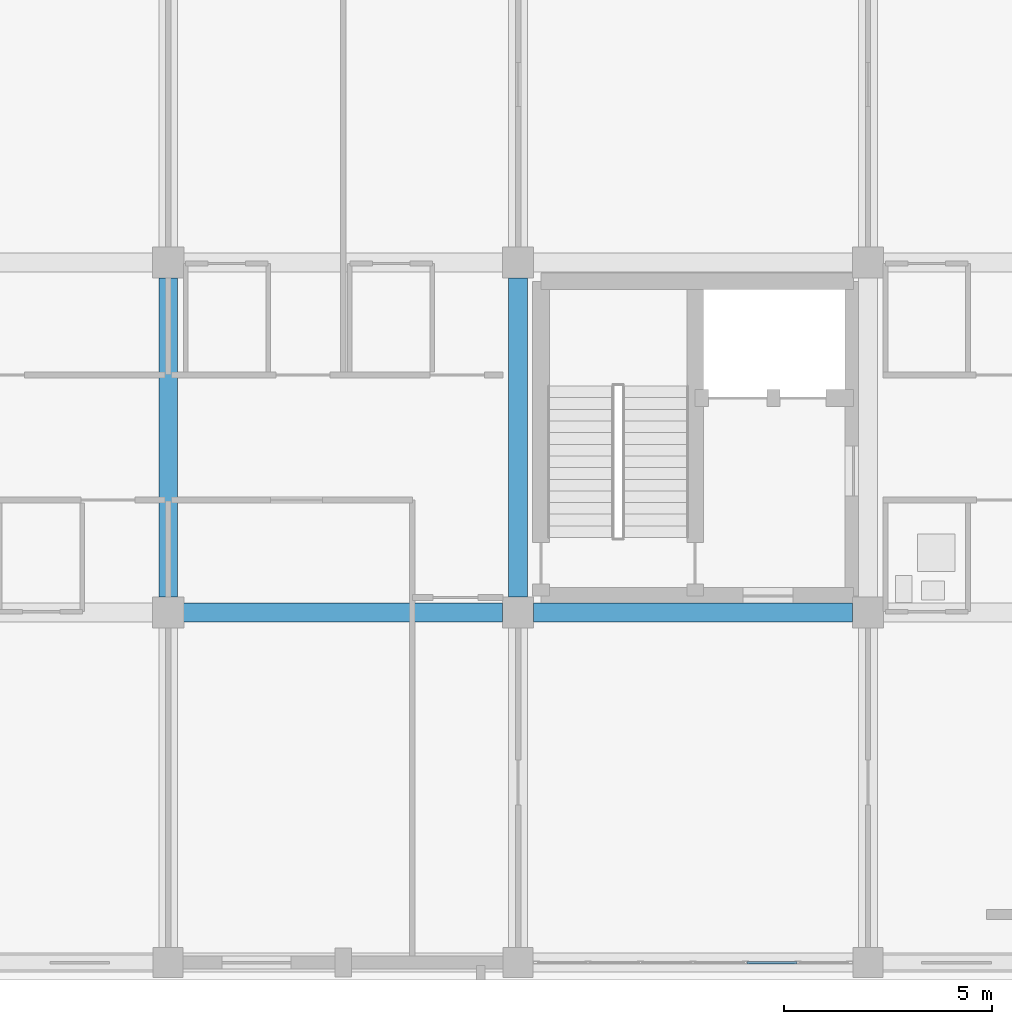
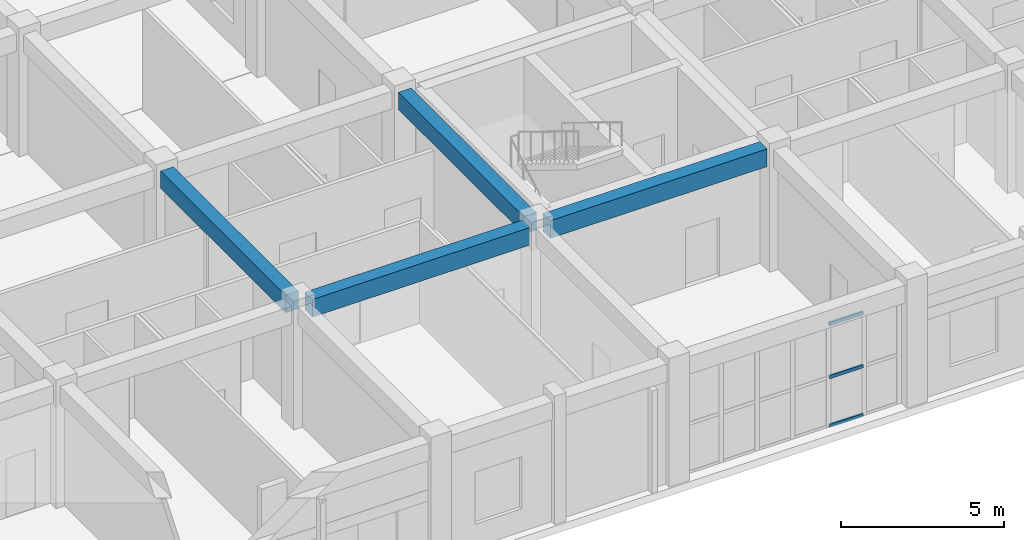
# One storey, part 18 of 158: 4 beams, 3 members, 1 element without a shape of its own.
"""IFC4 building model written with IfcOpenShell, lengths in metres."""

from ifc_helpers import new_model, si_unit, direction, frame, origin, origin_2d, place, context, subcontext, project, spatial, rectangle, hollow_rectangle, extrude, material, layer, layer_set, material_profile, profile_set, type_object, element, aggregate, save


model = new_model("IFC4")

# Units and contexts
model_context = context("Model", 3, precision=1e-05, world=origin(), true_north=direction((0.0, 1.0)))
body_context = subcontext(model_context, "Body", "Model", "MODEL_VIEW")
ifc_project = project(units=[si_unit("LENGTHUNIT", "METRE"), si_unit("AREAUNIT", "SQUARE_METRE"), si_unit("VOLUMEUNIT", "CUBIC_METRE"), si_unit("PLANEANGLEUNIT", "RADIAN"), si_unit("MASSUNIT", "GRAM", prefix="KILO")], contexts=[model_context])

# Site, building, storey
site_placement = place(None, origin())
site = spatial("IfcSite", under=ifc_project, at=site_placement, CompositionType="ELEMENT")
building_placement = place(site_placement, origin())
building = spatial("IfcBuilding", under=site, at=building_placement, Name="Trelvath General Hospital", CompositionType="ELEMENT")
storey_placement = place(building_placement, frame((0.0, 0.0, 8.10009765625)))
storey = spatial("IfcBuildingStorey", under=building, at=storey_placement, Name="L02", CompositionType="ELEMENT", Elevation=8.10009765625)

# Beams
ifc_material_1 = material(Name="Concrete C35/45", Category="concrete")
ifc_material_profile_1 = material_profile(ifc_material_1, rectangle(XDim=0.449951171875, YDim=0.64990234375, at=origin_2d()), Name="RCB450x650")
ifc_profile_set_1 = profile_set([ifc_material_profile_1], Name="Concrete C35/45")
beam_type_1 = type_object("IfcBeamType", Name="Beam RC450x650", PredefinedType="BEAM", material=ifc_profile_set_1)
for number, where, z_axis, x_axis, name in (
    (1, (33.60009765625, 8.77001953125, 4.19482421875), (0.0, 1.0, 0.0), (-1.0, 0.0, 0.0), "Grid Beam BY-204B"),
    (2, (42.0, 8.77001953125, 4.19482421875), (0.0, 1.0, 0.0), (-1.0, 0.0, 0.0), "Grid Beam BY-205B"),
):
    element("IfcBeam", number, at=place(storey_placement, frame(where, z_axis=z_axis, x_axis=x_axis)), inside=storey, type_object=beam_type_1, Name=name, PredefinedType="BEAM", context=body_context, shape_type="SweptSolid", body=[
        extrude(rectangle(XDim=0.449951171875, YDim=0.64990234375, at=origin_2d()), origin(), (0.0, 0.0, 1.0), 7.659912109375),
    ])
ifc_material_2 = material(Name="Concrete C35/45", Category="concrete")
ifc_material_profile_2 = material_profile(ifc_material_2, rectangle(XDim=0.4599609375, YDim=0.659912109375, at=origin_2d()), Name="RCB460x660")
ifc_profile_set_2 = profile_set([ifc_material_profile_2], Name="Concrete C35/45")
beam_type_2 = type_object("IfcBeamType", Name="Beam RC460x660", PredefinedType="BEAM", material=ifc_profile_set_2)
for number, where, z_axis, x_axis, name in (
    (3, (33.969970703125, 8.39990234375, 4.18994140625), (1.0, 0.0, 0.0), (0.0, 1.0, 0.0), "Grid Beam BX-204B"),
    (4, (42.3701171875, 8.39990234375, 4.18994140625), (1.0, 0.0, 0.0), (0.0, 1.0, 0.0), "Grid Beam BX-205B"),
):
    element("IfcBeam", number, at=place(storey_placement, frame(where, z_axis=z_axis, x_axis=x_axis)), inside=storey, type_object=beam_type_2, Name=name, PredefinedType="BEAM", context=body_context, shape_type="SweptSolid", body=[
        extrude(rectangle(XDim=0.4599609375, YDim=0.659912109375, at=origin_2d()), origin(), (0.0, 0.0, 1.0), 7.659912109375),
    ])

# Curtain wall, members
ifc_material_3 = material(Name="Anodised aluminium and low-E glass", Category="aluminium")
ifc_layer = layer(ifc_material_3, 0.159912109375)
ifc_layer_set = layer_set([ifc_layer], Name="Anodised aluminium and low-E glass")
curtain_wall_type = type_object("IfcCurtainWallType", Name="CW Facade 757 386 16", PredefinedType="USERDEFINED", material=ifc_layer_set)
curtain_wall_placement = place(storey_placement, origin())
curtain_wall = element("IfcCurtainWall", 5, at=curtain_wall_placement, inside=storey, type_object=curtain_wall_type, Name="Facade Curtain Wall CW-040", ObjectType="Unitised Glazed Curtain Wall", PredefinedType="USERDEFINED")
ifc_material_4 = material(Name="Anodised aluminium", Category="aluminium")
ifc_material_profile_3 = material_profile(ifc_material_4, hollow_rectangle(XDim=0.06005859375, YDim=0.125, WallThickness=0.00390625, at=origin_2d()), Name="RHS60x125x4")
ifc_profile_set_3 = profile_set([ifc_material_profile_3], Name="Anodised aluminium")
member_type = type_object("IfcMemberType", Name="CurtainTransom 60x125", PredefinedType="USERDEFINED", material=ifc_profile_set_3)
member_1_placement = place(storey_placement, frame((48.693359375, 0.0, 0.02978515625), z_axis=(-1.0, 0.0, 0.0), x_axis=(0.0, -1.0, 0.0)))
member_1 = element("IfcMember", 6, at=member_1_placement, type_object=member_type, Name="CW-040 transom 2.1", ObjectType="TRANSOM", PredefinedType="USERDEFINED", context=body_context, shape_type="SweptSolid", body=[
    extrude(hollow_rectangle(XDim=0.06005859375, YDim=0.125, WallThickness=0.00390625, at=origin_2d()), origin(), (0.0, 0.0, 1.0), 1.20166015625),
])
member_2_placement = place(storey_placement, frame((48.693359375, 0.0, 1.852783203125), z_axis=(-1.0, 0.0, 0.0), x_axis=(0.0, -1.0, 0.0)))
member_2 = element("IfcMember", 7, at=member_2_placement, type_object=member_type, Name="CW-040 transom 2.2", ObjectType="TRANSOM", PredefinedType="USERDEFINED", context=body_context, shape_type="SweptSolid", body=[
    extrude(hollow_rectangle(XDim=0.06005859375, YDim=0.125, WallThickness=0.00390625, at=origin_2d()), origin(), (0.0, 0.0, 1.0), 1.20166015625),
])
member_3_placement = place(storey_placement, frame((48.693359375, 0.0, 3.829833984375), z_axis=(-1.0, 0.0, 0.0), x_axis=(0.0, -1.0, 0.0)))
member_3 = element("IfcMember", 8, at=member_3_placement, type_object=member_type, Name="CW-040 transom 2.3", ObjectType="TRANSOM", PredefinedType="USERDEFINED", context=body_context, shape_type="SweptSolid", body=[
    extrude(hollow_rectangle(XDim=0.06005859375, YDim=0.125, WallThickness=0.00390625, at=origin_2d()), origin(), (0.0, 0.0, 1.0), 1.20166015625),
])
aggregate(curtain_wall, [member_1, member_2, member_3])

save(model, "model.ifc")
